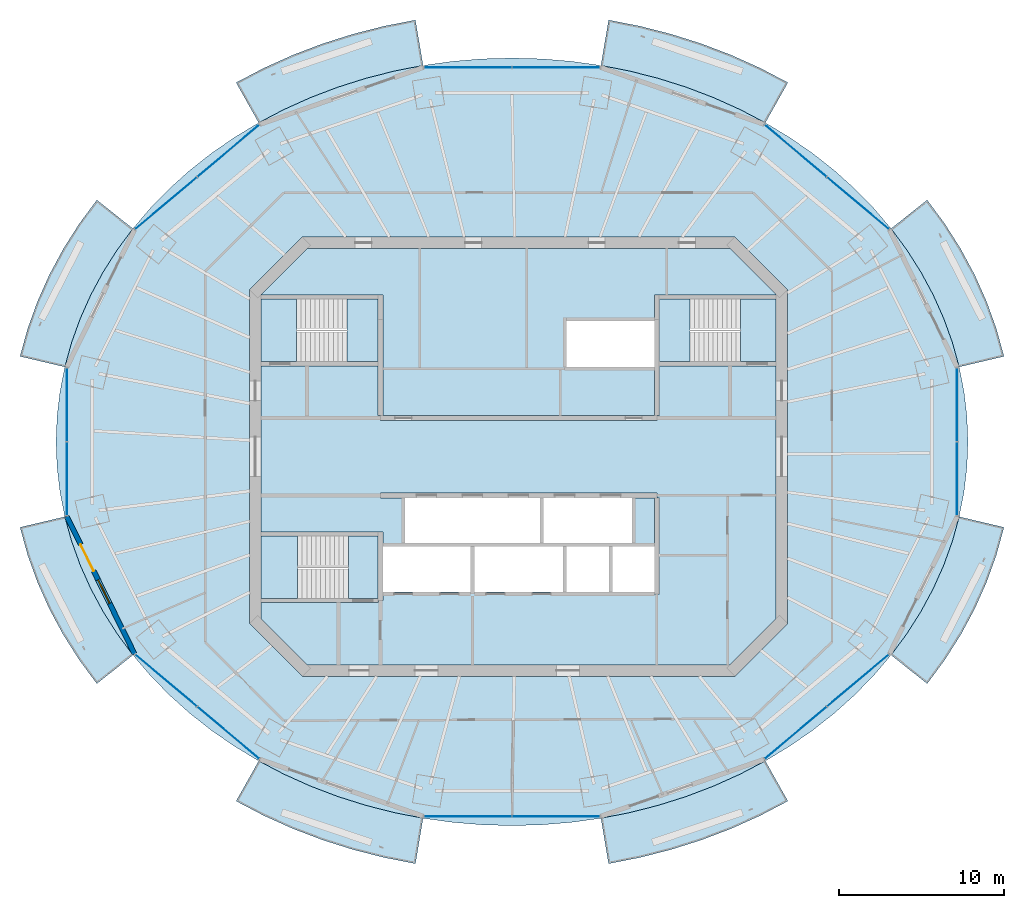
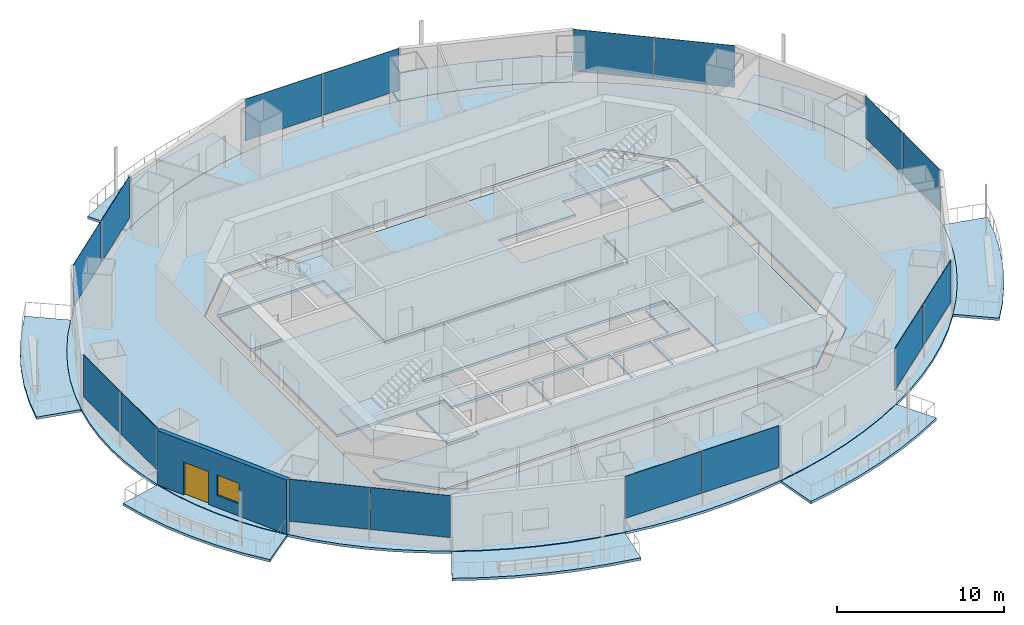
# One storey, part 7 of 16: 17 slabs, 16 plates, 1 door, 1 wall, 1 window, 2 openings, 11 elements without a shape of their own.
"""IFC4 building model written with IfcOpenShell, lengths in metres."""

from ifc_helpers import new_model, si_unit, direction, frame, frame_2d, origin, origin_2d, place, context, subcontext, project, spatial, polyline, rectangle, outline, extrude, material, layer, layer_set, type_object, element, fill, aggregate, save


model = new_model("IFC4")

# Units and contexts
model_context = context("Model", 3, precision=1e-05, world=origin(), true_north=direction((0.0, 1.0)))
body_context = subcontext(model_context, "Body", "Model", "MODEL_VIEW")
ifc_project = project(units=[si_unit("LENGTHUNIT", "METRE"), si_unit("AREAUNIT", "SQUARE_METRE"), si_unit("VOLUMEUNIT", "CUBIC_METRE"), si_unit("PLANEANGLEUNIT", "RADIAN"), si_unit("MASSUNIT", "GRAM", prefix="KILO")], contexts=[model_context])

# Site, building, storey
site_placement = place(None, origin())
site = spatial("IfcSite", under=ifc_project, at=site_placement, CompositionType="ELEMENT")
building_placement = place(site_placement, origin())
building = spatial("IfcBuilding", under=site, at=building_placement, Name="Marenthal Gate Tower", CompositionType="ELEMENT")
storey_placement = place(building_placement, frame((0.0, 0.0, 330.14990234375)))
storey = spatial("IfcBuildingStorey", under=building, at=storey_placement, Name="L74", CompositionType="ELEMENT", Elevation=330.14990234375)

# Slabs
ifc_material_1 = material(Name="Concrete 40 MPa", Category="concrete")
ifc_layer_1 = layer(ifc_material_1, 0.179931640625)
ifc_layer_set_1 = layer_set([ifc_layer_1], Name="Balcony deck 180")
slab_type_1 = type_object("IfcSlabType", Name="Balcony deck 180", PredefinedType="USERDEFINED", material=ifc_layer_set_1)
slab_1_placement = place(storey_placement, frame((0.0, 0.0, -0.219970703125)))
element("IfcSlab", 1, at=slab_1_placement, inside=storey, type_object=slab_type_1, Name="Balcony deck L74 bay 1", ObjectType="BALCONY", PredefinedType="USERDEFINED", context=body_context, shape_type="SweptSolid", body=[
    extrude(outline(polyline([(26.779541015625, 5.450927734375), (26.36767578125, 6.9375), (25.84130859375, 8.398193359375), (25.202392578125, 9.826904296875), (24.4541015625, 11.21728515625), (23.599365234375, 12.5634765625), (22.6416015625, 13.85986328125), (24.834716796875, 15.6005859375), (25.908447265625, 14.147216796875), (26.8701171875, 12.632568359375), (27.71484375, 11.063232421875), (28.43798828125, 9.4453125), (29.035888671875, 7.786865234375), (29.50439453125, 6.0947265625), (26.779541015625, 5.450927734375)])), origin(), (0.0, 0.0, 1.0), 0.18017578125),
])
slab_2_placement = place(storey_placement, frame((0.0, 0.0, -0.219970703125)))
element("IfcSlab", 2, at=slab_2_placement, inside=storey, type_object=slab_type_1, Name="Balcony deck L74 bay 3", ObjectType="BALCONY", PredefinedType="USERDEFINED", context=body_context, shape_type="SweptSolid", body=[
    extrude(outline(polyline([(14.99609375, 20.295654296875), (13.4560546875, 21.101806640625), (11.856689453125, 21.8212890625), (10.204833984375, 22.451416015625), (8.5078125, 22.989013671875), (6.7724609375, 23.43212890625), (5.00634765625, 23.77880859375), (5.46875, 26.540283203125), (7.388427734375, 26.16357421875), (9.277099609375, 25.68115234375), (11.126708984375, 25.09521484375), (12.93017578125, 24.407470703125), (14.679931640625, 23.6201171875), (16.36865234375, 22.736083984375), (14.99609375, 20.295654296875)])), origin(), (0.0, 0.0, 1.0), 0.18017578125),
])
slab_3_placement = place(storey_placement, frame((0.0, 0.0, -0.219970703125)))
element("IfcSlab", 3, at=slab_3_placement, inside=storey, type_object=slab_type_1, Name="Balcony deck L74 bay 5", ObjectType="BALCONY", PredefinedType="USERDEFINED", context=body_context, shape_type="SweptSolid", body=[
    extrude(outline(polyline([(-5.806396484375, 23.77880859375), (-7.572509765625, 23.43212890625), (-9.3076171875, 22.989013671875), (-11.0048828125, 22.451416015625), (-12.65673828125, 21.8212890625), (-14.256103515625, 21.101806640625), (-15.7958984375, 20.295654296875), (-17.168701171875, 22.736083984375), (-15.47998046875, 23.6201171875), (-13.730224609375, 24.407470703125), (-11.9267578125, 25.09521484375), (-10.076904296875, 25.68115234375), (-8.1884765625, 26.16357421875), (-6.268798828125, 26.540283203125), (-5.806396484375, 23.77880859375)])), origin(), (0.0, 0.0, 1.0), 0.18017578125),
])
slab_4_placement = place(storey_placement, frame((0.0, 0.0, -0.219970703125)))
element("IfcSlab", 4, at=slab_4_placement, inside=storey, type_object=slab_type_1, Name="Balcony deck L74 bay 7", ObjectType="BALCONY", PredefinedType="USERDEFINED", context=body_context, shape_type="SweptSolid", body=[
    extrude(outline(polyline([(-23.441650390625, 13.85986328125), (-24.3994140625, 12.5634765625), (-25.254150390625, 11.21728515625), (-26.00244140625, 9.826904296875), (-26.641357421875, 8.398193359375), (-27.167724609375, 6.9375), (-27.57958984375, 5.450927734375), (-30.304443359375, 6.0947265625), (-29.835693359375, 7.786865234375), (-29.238037109375, 9.4453125), (-28.514892578125, 11.063232421875), (-27.669921875, 12.632568359375), (-26.708251953125, 14.147216796875), (-25.634765625, 15.6005859375), (-23.441650390625, 13.85986328125)])), origin(), (0.0, 0.0, 1.0), 0.18017578125),
])
slab_5_placement = place(storey_placement, frame((0.0, 0.0, -0.219970703125)))
element("IfcSlab", 5, at=slab_5_placement, inside=storey, type_object=slab_type_1, Name="Balcony deck L74 bay 9", ObjectType="BALCONY", PredefinedType="USERDEFINED", context=body_context, shape_type="SweptSolid", body=[
    extrude(outline(polyline([(-27.57958984375, -3.65087890625), (-27.167724609375, -5.137451171875), (-26.641357421875, -6.59814453125), (-26.00244140625, -8.02685546875), (-25.254150390625, -9.417236328125), (-24.3994140625, -10.763427734375), (-23.441650390625, -12.059814453125), (-25.634765625, -13.800537109375), (-26.708251953125, -12.34716796875), (-27.669921875, -10.832763671875), (-28.514892578125, -9.26318359375), (-29.238037109375, -7.6455078125), (-29.835693359375, -5.98681640625), (-30.304443359375, -4.294921875), (-27.57958984375, -3.65087890625)])), origin(), (0.0, 0.0, 1.0), 0.18017578125),
])
slab_6_placement = place(storey_placement, frame((0.0, 0.0, -0.219970703125)))
element("IfcSlab", 6, at=slab_6_placement, inside=storey, type_object=slab_type_1, Name="Balcony deck L74 bay 11", ObjectType="BALCONY", PredefinedType="USERDEFINED", context=body_context, shape_type="SweptSolid", body=[
    extrude(outline(polyline([(-15.7958984375, -18.49560546875), (-14.256103515625, -19.3017578125), (-12.65673828125, -20.021484375), (-11.0048828125, -20.6513671875), (-9.3076171875, -21.18896484375), (-7.572509765625, -21.632080078125), (-5.806396484375, -21.978759765625), (-6.268798828125, -24.740478515625), (-8.1884765625, -24.363525390625), (-10.076904296875, -23.88134765625), (-11.9267578125, -23.295166015625), (-13.730224609375, -22.607421875), (-15.47998046875, -21.820068359375), (-17.168701171875, -20.936279296875), (-15.7958984375, -18.49560546875)])), origin(), (0.0, 0.0, 1.0), 0.18017578125),
])
slab_7_placement = place(storey_placement, frame((0.0, 0.0, -0.219970703125)))
element("IfcSlab", 7, at=slab_7_placement, inside=storey, type_object=slab_type_1, Name="Balcony deck L74 bay 13", ObjectType="BALCONY", PredefinedType="USERDEFINED", context=body_context, shape_type="SweptSolid", body=[
    extrude(outline(polyline([(5.00634765625, -21.978759765625), (6.7724609375, -21.632080078125), (8.5078125, -21.18896484375), (10.204833984375, -20.6513671875), (11.856689453125, -20.021484375), (13.4560546875, -19.3017578125), (14.99609375, -18.49560546875), (16.36865234375, -20.936279296875), (14.679931640625, -21.820068359375), (12.93017578125, -22.607421875), (11.126708984375, -23.295166015625), (9.277099609375, -23.88134765625), (7.388427734375, -24.363525390625), (5.46875, -24.740478515625), (5.00634765625, -21.978759765625)])), origin(), (0.0, 0.0, 1.0), 0.18017578125),
])
slab_8_placement = place(storey_placement, frame((0.0, 0.0, -0.219970703125)))
element("IfcSlab", 8, at=slab_8_placement, inside=storey, type_object=slab_type_1, Name="Balcony deck L74 bay 15", ObjectType="BALCONY", PredefinedType="USERDEFINED", context=body_context, shape_type="SweptSolid", body=[
    extrude(outline(polyline([(22.6416015625, -12.059814453125), (23.599365234375, -10.763427734375), (24.4541015625, -9.417236328125), (25.202392578125, -8.02685546875), (25.84130859375, -6.59814453125), (26.36767578125, -5.137451171875), (26.779541015625, -3.65087890625), (29.50439453125, -4.294921875), (29.035888671875, -5.98681640625), (28.43798828125, -7.6455078125), (27.71484375, -9.26318359375), (26.8701171875, -10.832763671875), (25.908447265625, -12.34716796875), (24.834716796875, -13.800537109375), (22.6416015625, -12.059814453125)])), origin(), (0.0, 0.0, 1.0), 0.18017578125),
])
ifc_material_2 = material(Name="Concrete 50 MPa", Category="concrete")
ifc_layer_2 = layer(ifc_material_2, 0.179931640625)
ifc_layer_set_2 = layer_set([ifc_layer_2], Name="Core floor slab 180")
slab_type_2 = type_object("IfcSlabType", Name="Core floor slab 180", PredefinedType="FLOOR", material=ifc_layer_set_2)
slab_9_placement = place(storey_placement, frame((0.0, 0.0, -0.179931640625)))
element("IfcSlab", 9, at=slab_9_placement, inside=storey, type_object=slab_type_2, Name="Core floor L74", PredefinedType="FLOOR", context=body_context, shape_type="SweptSolid", body=[
    extrude(outline(polyline([(12.85498046875, -12.64990234375), (-12.85498046875, -12.64990234375), (-15.64990234375, -9.85498046875), (-15.64990234375, -8.875), (-8.550048828125, -8.875), (-8.550048828125, -8.75), (-8.25, -8.75), (-8.25, -8.239990234375), (-5.60009765625, -8.239990234375), (-2.909912109375, -8.239990234375), (-2.909912109375, -5.4599609375), (-5.60009765625, -5.4599609375), (-8.25, -5.4599609375), (-8.25, -4.574951171875), (-8.550048828125, -4.574951171875), (-15.64990234375, -4.574951171875), (-15.64990234375, 5.52490234375), (-8.550048828125, 5.52490234375), (-8.550048828125, 2.5), (-8.39990234375, 2.5), (-8.39990234375, 2.199951171875), (8.39990234375, 2.199951171875), (8.39990234375, 2.5), (8.550048828125, 2.5), (8.550048828125, 5.52490234375), (15.64990234375, 5.52490234375), (15.64990234375, -9.85498046875), (12.85498046875, -12.64990234375)]), holes=[polyline([(0.0, -8.239990234375), (2.68994140625, -8.239990234375), (2.68994140625, -5.4599609375), (0.0, -5.4599609375), (-2.68994140625, -5.4599609375), (-2.68994140625, -8.239990234375), (0.0, -8.239990234375)]), polyline([(1.2900390625, -5.239990234375), (1.2900390625, -2.5), (1.510009765625, -2.5), (1.510009765625, -5.239990234375), (4.199951171875, -5.239990234375), (6.889892578125, -5.239990234375), (6.889892578125, -2.5), (8.25, -2.5), (8.25, -5.4599609375), (5.7099609375, -5.4599609375), (5.7099609375, -8.239990234375), (8.25, -8.239990234375), (8.25, -8.35009765625), (8.550048828125, -8.35009765625), (8.550048828125, -2.5), (8.39990234375, -2.5), (8.39990234375, -2.199951171875), (-8.39990234375, -2.199951171875), (-8.39990234375, -2.5), (-6.889892578125, -2.5), (-6.889892578125, -5.239990234375), (-4.199951171875, -5.239990234375), (-1.39990234375, -5.239990234375), (1.2900390625, -5.239990234375)]), polyline([(5.489990234375, -5.4599609375), (2.909912109375, -5.4599609375), (2.909912109375, -8.239990234375), (5.489990234375, -8.239990234375), (5.489990234375, -5.4599609375)])]), origin(), (0.0, 0.0, 1.0), 0.179931640625),
])
slab_10_placement = place(storey_placement, frame((0.0, 0.0, -0.179931640625)))
element("IfcSlab", 10, at=slab_10_placement, inside=storey, type_object=slab_type_2, Name="Core floor L74", PredefinedType="FLOOR", context=body_context, shape_type="SweptSolid", body=[
    extrude(outline(polyline([(15.64990234375, 5.77490234375), (13.5, 5.77490234375), (13.5, 9.574951171875), (15.64990234375, 9.574951171875), (15.64990234375, 5.77490234375)])), origin(), (0.0, 0.0, 1.0), 0.179931640625),
])
slab_11_placement = place(storey_placement, frame((0.0, 0.0, -0.179931640625)))
element("IfcSlab", 11, at=slab_11_placement, inside=storey, type_object=slab_type_2, Name="Core floor L74", PredefinedType="FLOOR", context=body_context, shape_type="SweptSolid", body=[
    extrude(outline(polyline([(15.64990234375, 9.824951171875), (8.550048828125, 9.824951171875), (8.25, 9.824951171875), (8.25, 8.35009765625), (8.25, 8.239990234375), (5.60009765625, 8.239990234375), (2.909912109375, 8.239990234375), (2.909912109375, 5.4599609375), (5.60009765625, 5.4599609375), (8.25, 5.4599609375), (8.25, 2.5), (-8.25, 2.5), (-8.25, 8.35009765625), (-8.25, 9.824951171875), (-8.550048828125, 9.824951171875), (-15.64990234375, 9.824951171875), (-15.64990234375, 9.85498046875), (-12.85498046875, 12.64990234375), (12.85498046875, 12.64990234375), (15.64990234375, 9.85498046875), (15.64990234375, 9.824951171875)])), origin(), (0.0, 0.0, 1.0), 0.179931640625),
])
slab_12_placement = place(storey_placement, frame((0.0, 0.0, -0.179931640625)))
element("IfcSlab", 12, at=slab_12_placement, inside=storey, type_object=slab_type_2, Name="Core floor L74", PredefinedType="FLOOR", context=body_context, shape_type="SweptSolid", body=[
    extrude(outline(polyline([(-15.64990234375, 9.574951171875), (-13.5, 9.574951171875), (-13.5, 5.77490234375), (-15.64990234375, 5.77490234375), (-15.64990234375, 9.574951171875)])), origin(), (0.0, 0.0, 1.0), 0.179931640625),
])
slab_13_placement = place(storey_placement, frame((0.0, 0.0, -0.179931640625)))
element("IfcSlab", 13, at=slab_13_placement, inside=storey, type_object=slab_type_2, Name="Core floor L74", PredefinedType="FLOOR", context=body_context, shape_type="SweptSolid", body=[
    extrude(outline(polyline([(-8.550048828125, -4.824951171875), (-8.550048828125, -8.625), (-10.35009765625, -8.625), (-10.35009765625, -4.824951171875), (-8.550048828125, -4.824951171875)])), origin(), (0.0, 0.0, 1.0), 0.179931640625),
])
ifc_material_3 = material(Name="Concrete 35 MPa", Category="concrete")
ifc_layer_3 = layer(ifc_material_3, 0.179931640625)
ifc_layer_set_3 = layer_set([ifc_layer_3], Name="Floor slab 180")
slab_type_3 = type_object("IfcSlabType", Name="Floor slab 180", PredefinedType="FLOOR", material=ifc_layer_set_3)
slab_14_placement = place(storey_placement, frame((0.0, 0.0, -0.179931640625)))
element("IfcSlab", 14, at=slab_14_placement, inside=storey, type_object=slab_type_3, Name="SL-L74-01", PredefinedType="FLOOR", context=body_context, shape_type="SweptSolid", body=[
    extrude(outline(polyline([(27.31201171875, 0.89990234375), (27.252685546875, 2.42578125), (27.074951171875, 3.94482421875), (26.779541015625, 5.450927734375), (26.36767578125, 6.9375), (25.84130859375, 8.398193359375), (25.202392578125, 9.826904296875), (24.4541015625, 11.21728515625), (23.599365234375, 12.5634765625), (22.6416015625, 13.85986328125), (21.58544921875, 15.1005859375), (20.43505859375, 16.280517578125), (19.1953125, 17.394775390625), (17.871826171875, 18.438232421875), (16.469970703125, 19.406494140625), (14.99609375, 20.295654296875), (13.4560546875, 21.101806640625), (11.856689453125, 21.8212890625), (10.204833984375, 22.451416015625), (8.5078125, 22.989013671875), (6.7724609375, 23.43212890625), (5.00634765625, 23.77880859375), (3.217041015625, 24.02734375), (1.41259765625, 24.177001953125), (-0.39990234375, 24.22705078125), (-2.21240234375, 24.177001953125), (-4.01708984375, 24.02734375), (-5.806396484375, 23.77880859375), (-7.572509765625, 23.43212890625), (-9.3076171875, 22.989013671875), (-11.0048828125, 22.451416015625), (-12.65673828125, 21.8212890625), (-14.256103515625, 21.101806640625), (-15.7958984375, 20.295654296875), (-17.27001953125, 19.406494140625), (-18.671875, 18.438232421875), (-19.995361328125, 17.394775390625), (-21.235107421875, 16.280517578125), (-22.385498046875, 15.1005859375), (-23.441650390625, 13.85986328125), (-24.3994140625, 12.5634765625), (-25.254150390625, 11.21728515625), (-26.00244140625, 9.826904296875), (-26.641357421875, 8.398193359375), (-27.167724609375, 6.9375), (-27.57958984375, 5.450927734375), (-27.875, 3.94482421875), (-28.052734375, 2.42578125), (-28.112060546875, 0.89990234375), (-28.052734375, -0.625732421875), (-27.875, -2.144775390625), (-27.57958984375, -3.65087890625), (-27.167724609375, -5.137451171875), (-26.641357421875, -6.59814453125), (-26.00244140625, -8.02685546875), (-25.254150390625, -9.417236328125), (-24.3994140625, -10.763427734375), (-23.441650390625, -12.059814453125), (-22.385498046875, -13.300537109375), (-21.235107421875, -14.480712890625), (-19.995361328125, -15.5947265625), (-18.671875, -16.63818359375), (-17.27001953125, -17.606689453125), (-15.7958984375, -18.49560546875), (-14.256103515625, -19.3017578125), (-12.65673828125, -20.021484375), (-11.0048828125, -20.6513671875), (-9.3076171875, -21.18896484375), (-7.572509765625, -21.632080078125), (-5.806396484375, -21.978759765625), (-4.01708984375, -22.227294921875), (-2.21240234375, -22.377197265625), (-0.39990234375, -22.427001953125), (1.41259765625, -22.377197265625), (3.217041015625, -22.227294921875), (5.00634765625, -21.978759765625), (6.7724609375, -21.632080078125), (8.5078125, -21.18896484375), (10.204833984375, -20.6513671875), (11.856689453125, -20.021484375), (13.4560546875, -19.3017578125), (14.99609375, -18.49560546875), (16.469970703125, -17.606689453125), (17.871826171875, -16.63818359375), (19.1953125, -15.5947265625), (20.43505859375, -14.480712890625), (21.58544921875, -13.300537109375), (22.6416015625, -12.059814453125), (23.599365234375, -10.763427734375), (24.4541015625, -9.417236328125), (25.202392578125, -8.02685546875), (25.84130859375, -6.59814453125), (26.36767578125, -5.137451171875), (26.779541015625, -3.65087890625), (27.074951171875, -2.144775390625), (27.252685546875, -0.625732421875), (27.31201171875, 0.89990234375)]), holes=[polyline([(13.14501953125, -13.35009765625), (16.35009765625, -10.14501953125), (16.35009765625, 10.14501953125), (13.14501953125, 13.35009765625), (-13.14501953125, 13.35009765625), (-16.35009765625, 10.14501953125), (-16.35009765625, -10.14501953125), (-13.14501953125, -13.35009765625), (13.14501953125, -13.35009765625)])]), origin(), (0.0, 0.0, 1.0), 0.179931640625),
])

# Curtain wall, plates
ifc_material_4 = material(Name="Aluminium and glass", Category="aluminium")
curtain_wall_type = type_object("IfcCurtainWallType", Name="Curtain wall typical high", PredefinedType="NOTDEFINED", material=ifc_material_4)
curtain_wall_1_placement = place(storey_placement, origin())
curtain_wall_1 = element("IfcCurtainWall", 15, at=curtain_wall_1_placement, inside=storey, type_object=curtain_wall_type, Name="Curtain wall L74 bay 2", PredefinedType="NOTDEFINED")
ifc_material_5 = material(Name="Glass, laminated insulating unit", Category="glass")
ifc_layer_4 = layer(ifc_material_5, 0.031982421875)
ifc_layer_set_4 = layer_set([ifc_layer_4], Name="Glass panel 32 typical high")
plate_type = type_object("IfcPlateType", Name="Glass panel 32 typical high", PredefinedType="CURTAIN_PANEL", material=ifc_layer_set_4)
plate_1_placement = place(storey_placement, frame((20.627197265625, 15.403564453125, 0.89990234375), z_axis=(0.0, 0.0, 1.0), x_axis=(-0.76529793122, 0.643676220215, 0.0)))
plate_1 = element("IfcPlate", 16, at=plate_1_placement, type_object=plate_type, Name="Glass panel L74 bay 2.1", PredefinedType="CURTAIN_PANEL", context=body_context, shape_type="SweptSolid", body=[
    extrude(rectangle(XDim=4.883544921875, YDim=0.031982421875, at=origin_2d()), origin(), (0.0, 0.0, 1.0), 3.070068359375),
])
plate_2_placement = place(storey_placement, frame((16.843994140625, 18.58544921875, 0.89990234375), z_axis=(0.0, 0.0, 1.0), x_axis=(-0.76529793122, 0.643676220215, 0.0)))
plate_2 = element("IfcPlate", 17, at=plate_2_placement, type_object=plate_type, Name="Glass panel L74 bay 2.2", PredefinedType="CURTAIN_PANEL", context=body_context, shape_type="SweptSolid", body=[
    extrude(rectangle(XDim=4.883544921875, YDim=0.031982421875, at=origin_2d()), origin(), (0.0, 0.0, 1.0), 3.070068359375),
])
aggregate(curtain_wall_1, [plate_1, plate_2])

curtain_wall_2_placement = place(storey_placement, origin())
curtain_wall_2 = element("IfcCurtainWall", 18, at=curtain_wall_2_placement, inside=storey, type_object=curtain_wall_type, Name="Curtain wall L74 bay 4", PredefinedType="NOTDEFINED")
plate_3_placement = place(storey_placement, frame((2.2763671875, 23.6611328125, 0.89990234375), z_axis=(0.0, 0.0, 1.0), x_axis=(-1.0, 0.0, 0.0)))
plate_3 = element("IfcPlate", 19, at=plate_3_placement, type_object=plate_type, Name="Glass panel L74 bay 4.1", PredefinedType="CURTAIN_PANEL", context=body_context, shape_type="SweptSolid", body=[
    extrude(rectangle(XDim=5.29296875, YDim=0.031982421875, at=origin_2d()), origin(), (0.0, 0.0, 1.0), 3.070068359375),
])
plate_4_placement = place(storey_placement, frame((-3.076416015625, 23.6611328125, 0.89990234375), z_axis=(0.0, 0.0, 1.0), x_axis=(-1.0, 0.0, 0.0)))
plate_4 = element("IfcPlate", 20, at=plate_4_placement, type_object=plate_type, Name="Glass panel L74 bay 4.2", PredefinedType="CURTAIN_PANEL", context=body_context, shape_type="SweptSolid", body=[
    extrude(rectangle(XDim=5.29296875, YDim=0.031982421875, at=origin_2d()), origin(), (0.0, 0.0, 1.0), 3.070068359375),
])
aggregate(curtain_wall_2, [plate_3, plate_4])

curtain_wall_3_placement = place(storey_placement, origin())
curtain_wall_3 = element("IfcCurtainWall", 21, at=curtain_wall_3_placement, inside=storey, type_object=curtain_wall_type, Name="Curtain wall L74 bay 6", PredefinedType="NOTDEFINED")
plate_5_placement = place(storey_placement, frame((-17.64404296875, 18.58544921875, 0.89990234375), z_axis=(0.0, 0.0, 1.0), x_axis=(-0.76529793122, -0.643676220215, 0.0)))
plate_5 = element("IfcPlate", 22, at=plate_5_placement, type_object=plate_type, Name="Glass panel L74 bay 6.1", PredefinedType="CURTAIN_PANEL", context=body_context, shape_type="SweptSolid", body=[
    extrude(rectangle(XDim=4.883544921875, YDim=0.031982421875, at=origin_2d()), origin(), (0.0, 0.0, 1.0), 3.070068359375),
])
plate_6_placement = place(storey_placement, frame((-21.42724609375, 15.403564453125, 0.89990234375), z_axis=(0.0, 0.0, 1.0), x_axis=(-0.76529793122, -0.643676220215, 0.0)))
plate_6 = element("IfcPlate", 23, at=plate_6_placement, type_object=plate_type, Name="Glass panel L74 bay 6.2", PredefinedType="CURTAIN_PANEL", context=body_context, shape_type="SweptSolid", body=[
    extrude(rectangle(XDim=4.883544921875, YDim=0.031982421875, at=origin_2d()), origin(), (0.0, 0.0, 1.0), 3.070068359375),
])
aggregate(curtain_wall_3, [plate_5, plate_6])

curtain_wall_4_placement = place(storey_placement, origin())
curtain_wall_4 = element("IfcCurtainWall", 24, at=curtain_wall_4_placement, inside=storey, type_object=curtain_wall_type, Name="Curtain wall L74 bay 8", PredefinedType="NOTDEFINED")
plate_7_placement = place(storey_placement, frame((-27.4619140625, 3.148681640625, 0.89990234375), z_axis=(0.0, 0.0, 1.0), x_axis=(0.0, -1.0, 0.0)))
plate_7 = element("IfcPlate", 25, at=plate_7_placement, type_object=plate_type, Name="Glass panel L74 bay 8.1", PredefinedType="CURTAIN_PANEL", context=body_context, shape_type="SweptSolid", body=[
    extrude(rectangle(XDim=4.4375, YDim=0.031982421875, at=origin_2d()), origin(), (0.0, 0.0, 1.0), 3.070068359375),
])
plate_8_placement = place(storey_placement, frame((-27.4619140625, -1.3486328125, 0.89990234375), z_axis=(0.0, 0.0, 1.0), x_axis=(0.0, -1.0, 0.0)))
plate_8 = element("IfcPlate", 26, at=plate_8_placement, type_object=plate_type, Name="Glass panel L74 bay 8.2", PredefinedType="CURTAIN_PANEL", context=body_context, shape_type="SweptSolid", body=[
    extrude(rectangle(XDim=4.4375, YDim=0.031982421875, at=origin_2d()), origin(), (0.0, 0.0, 1.0), 3.070068359375),
])
aggregate(curtain_wall_4, [plate_7, plate_8])

curtain_wall_5_placement = place(storey_placement, origin())
curtain_wall_5 = element("IfcCurtainWall", 27, at=curtain_wall_5_placement, inside=storey, type_object=curtain_wall_type, Name="Curtain wall L74 bay 10", PredefinedType="NOTDEFINED")
plate_9_placement = place(storey_placement, frame((-21.42724609375, -13.603515625, 0.89990234375), z_axis=(0.0, 0.0, 1.0), x_axis=(0.76529793122, -0.643676220215, 0.0)))
plate_9 = element("IfcPlate", 28, at=plate_9_placement, type_object=plate_type, Name="Glass panel L74 bay 10.1", PredefinedType="CURTAIN_PANEL", context=body_context, shape_type="SweptSolid", body=[
    extrude(rectangle(XDim=4.883544921875, YDim=0.031982421875, at=origin_2d()), origin(), (0.0, 0.0, 1.0), 3.070068359375),
])
plate_10_placement = place(storey_placement, frame((-17.64404296875, -16.78564453125, 0.89990234375), z_axis=(0.0, 0.0, 1.0), x_axis=(0.76529793122, -0.643676220215, 0.0)))
plate_10 = element("IfcPlate", 29, at=plate_10_placement, type_object=plate_type, Name="Glass panel L74 bay 10.2", PredefinedType="CURTAIN_PANEL", context=body_context, shape_type="SweptSolid", body=[
    extrude(rectangle(XDim=4.883544921875, YDim=0.031982421875, at=origin_2d()), origin(), (0.0, 0.0, 1.0), 3.070068359375),
])
aggregate(curtain_wall_5, [plate_9, plate_10])

curtain_wall_6_placement = place(storey_placement, origin())
curtain_wall_6 = element("IfcCurtainWall", 30, at=curtain_wall_6_placement, inside=storey, type_object=curtain_wall_type, Name="Curtain wall L74 bay 12", PredefinedType="NOTDEFINED")
plate_11_placement = place(storey_placement, frame((-3.076416015625, -21.861083984375, 0.89990234375), z_axis=(0.0, 0.0, 1.0), x_axis=(1.0, 0.0, 0.0)))
plate_11 = element("IfcPlate", 31, at=plate_11_placement, type_object=plate_type, Name="Glass panel L74 bay 12.1", PredefinedType="CURTAIN_PANEL", context=body_context, shape_type="SweptSolid", body=[
    extrude(rectangle(XDim=5.29296875, YDim=0.031982421875, at=origin_2d()), origin(), (0.0, 0.0, 1.0), 3.070068359375),
])
plate_12_placement = place(storey_placement, frame((2.2763671875, -21.861083984375, 0.89990234375), z_axis=(0.0, 0.0, 1.0), x_axis=(1.0, 0.0, 0.0)))
plate_12 = element("IfcPlate", 32, at=plate_12_placement, type_object=plate_type, Name="Glass panel L74 bay 12.2", PredefinedType="CURTAIN_PANEL", context=body_context, shape_type="SweptSolid", body=[
    extrude(rectangle(XDim=5.29296875, YDim=0.031982421875, at=origin_2d()), origin(), (0.0, 0.0, 1.0), 3.070068359375),
])
aggregate(curtain_wall_6, [plate_11, plate_12])

curtain_wall_7_placement = place(storey_placement, origin())
curtain_wall_7 = element("IfcCurtainWall", 33, at=curtain_wall_7_placement, inside=storey, type_object=curtain_wall_type, Name="Curtain wall L74 bay 14", PredefinedType="NOTDEFINED")
plate_13_placement = place(storey_placement, frame((16.843994140625, -16.78564453125, 0.89990234375), z_axis=(0.0, 0.0, 1.0), x_axis=(0.76529793122, 0.643676220215, 0.0)))
plate_13 = element("IfcPlate", 34, at=plate_13_placement, type_object=plate_type, Name="Glass panel L74 bay 14.1", PredefinedType="CURTAIN_PANEL", context=body_context, shape_type="SweptSolid", body=[
    extrude(rectangle(XDim=4.883544921875, YDim=0.031982421875, at=origin_2d()), origin(), (0.0, 0.0, 1.0), 3.070068359375),
])
plate_14_placement = place(storey_placement, frame((20.627197265625, -13.603515625, 0.89990234375), z_axis=(0.0, 0.0, 1.0), x_axis=(0.76529793122, 0.643676220215, 0.0)))
plate_14 = element("IfcPlate", 35, at=plate_14_placement, type_object=plate_type, Name="Glass panel L74 bay 14.2", PredefinedType="CURTAIN_PANEL", context=body_context, shape_type="SweptSolid", body=[
    extrude(rectangle(XDim=4.883544921875, YDim=0.031982421875, at=origin_2d()), origin(), (0.0, 0.0, 1.0), 3.070068359375),
])
aggregate(curtain_wall_7, [plate_13, plate_14])

curtain_wall_8_placement = place(storey_placement, origin())
curtain_wall_8 = element("IfcCurtainWall", 36, at=curtain_wall_8_placement, inside=storey, type_object=curtain_wall_type, Name="Curtain wall L74 bay 16", PredefinedType="NOTDEFINED")
plate_15_placement = place(storey_placement, frame((26.661865234375, -1.3486328125, 0.89990234375), z_axis=(0.0, 0.0, 1.0), x_axis=(0.0, 1.0, 0.0)))
plate_15 = element("IfcPlate", 37, at=plate_15_placement, type_object=plate_type, Name="Glass panel L74 bay 16.1", PredefinedType="CURTAIN_PANEL", context=body_context, shape_type="SweptSolid", body=[
    extrude(rectangle(XDim=4.4375, YDim=0.031982421875, at=origin_2d()), origin(), (0.0, 0.0, 1.0), 3.070068359375),
])
plate_16_placement = place(storey_placement, frame((26.661865234375, 3.148681640625, 0.89990234375), z_axis=(0.0, 0.0, 1.0), x_axis=(0.0, 1.0, 0.0)))
plate_16 = element("IfcPlate", 38, at=plate_16_placement, type_object=plate_type, Name="Glass panel L74 bay 16.2", PredefinedType="CURTAIN_PANEL", context=body_context, shape_type="SweptSolid", body=[
    extrude(rectangle(XDim=4.4375, YDim=0.031982421875, at=origin_2d()), origin(), (0.0, 0.0, 1.0), 3.070068359375),
])
aggregate(curtain_wall_8, [plate_15, plate_16])

# Stair, slab
ifc_material_6 = material(Name="Concrete 40 MPa", Category="concrete")
stair_type = type_object("IfcStairType", Name="Exit stair 1800", PredefinedType="HALF_TURN_STAIR", material=ifc_material_6)
stair_1_placement = place(storey_placement, origin())
stair_1 = element("IfcStair", 39, at=stair_1_placement, inside=storey, type_object=stair_type, Name="Stair ST1", PredefinedType="HALF_TURN_STAIR")
ifc_material_7 = material(Name="Concrete 40 MPa", Category="concrete")
ifc_layer_5 = layer(ifc_material_7, 0.199951171875)
ifc_layer_set_5 = layer_set([ifc_layer_5], Name="Stair landing 200")
slab_type_4 = type_object("IfcSlabType", Name="Stair landing 200", PredefinedType="LANDING", material=ifc_layer_set_5)
slab_15_placement = place(storey_placement, frame((0.0, 0.0, 1.875)))
slab_15 = element("IfcSlab", 40, at=slab_15_placement, type_object=slab_type_4, Name="ST1 landing 1", PredefinedType="LANDING", context=body_context, shape_type="SweptSolid", body=[
    extrude(outline(polyline([(-10.419921875, 5.77490234375), (-8.550048828125, 5.77490234375), (-8.550048828125, 9.574951171875), (-10.419921875, 9.574951171875), (-10.419921875, 5.77490234375)])), origin(), (0.0, 0.0, 1.0), 0.2001953125),
])
aggregate(stair_1, [slab_15])

stair_2_placement = place(storey_placement, origin())
stair_2 = element("IfcStair", 41, at=stair_2_placement, inside=storey, type_object=stair_type, Name="Stair ST2", PredefinedType="HALF_TURN_STAIR")
slab_16_placement = place(storey_placement, frame((0.0, 0.0, 1.875)))
slab_16 = element("IfcSlab", 42, at=slab_16_placement, type_object=slab_type_4, Name="ST2 landing 1", PredefinedType="LANDING", context=body_context, shape_type="SweptSolid", body=[
    extrude(outline(polyline([(-15.64990234375, -8.625), (-13.429931640625, -8.625), (-13.429931640625, -4.824951171875), (-15.64990234375, -4.824951171875), (-15.64990234375, -8.625)])), origin(), (0.0, 0.0, 1.0), 0.2001953125),
])
aggregate(stair_2, [slab_16])

stair_3_placement = place(storey_placement, origin())
stair_3 = element("IfcStair", 43, at=stair_3_placement, inside=storey, type_object=stair_type, Name="Stair ST3", PredefinedType="HALF_TURN_STAIR")
slab_17_placement = place(storey_placement, frame((0.0, 0.0, 1.875)))
slab_17 = element("IfcSlab", 44, at=slab_17_placement, type_object=slab_type_4, Name="ST3 landing 1", PredefinedType="LANDING", context=body_context, shape_type="SweptSolid", body=[
    extrude(outline(polyline([(8.550048828125, 5.77490234375), (10.419921875, 5.77490234375), (10.419921875, 9.574951171875), (8.550048828125, 9.574951171875), (8.550048828125, 5.77490234375)])), origin(), (0.0, 0.0, 1.0), 0.2001953125),
])
aggregate(stair_3, [slab_17])

# Wall, openings, door, window
ifc_material_8 = material(Name="Terracotta cladding on insulated concrete-block backing", Category="masonry")
ifc_layer_6 = layer(ifc_material_8, 0.300048828125)
ifc_layer_set_6 = layer_set([ifc_layer_6], Name="Terracotta facade wall 300")
wall_type = type_object("IfcWallType", Name="Terracotta facade wall 300", PredefinedType="SOLIDWALL", material=ifc_layer_set_6)
wall_placement = place(storey_placement, frame((-27.4619140625, -3.62744140625, 0.0), z_axis=(0.0, 0.0, 1.0), x_axis=(0.441822778199, -0.897102353505, 0.0)))
wall = element("IfcWall", 45, at=wall_placement, inside=storey, type_object=wall_type, Name="Terracotta facade wall L74 bay 9", PredefinedType="SOLIDWALL", context=body_context, shape_type="SweptSolid", body=[
    extrude(rectangle(XDim=9.3251953125, YDim=0.300048828125, at=frame_2d((4.66259765625, 0.0))), origin(), (0.0, 0.0, 1.0), 3.97021484375),
])
opening_1_placement = place(wall_placement, frame((1.89990234375, 0.0, 0.0)))
opening_1 = element("IfcOpeningElement", 46, at=opening_1_placement, cuts=wall, Name="Opening BD-L74-09", PredefinedType="OPENING", context=body_context, shape_type="SweptSolid", body=[
    extrude(rectangle(XDim=1.800048828125, YDim=2.39990234375, at=frame_2d((0.89990234375, 1.199951171875))), frame((0.0, 0.16015625, 0.0), z_axis=(0.0, -1.0, 0.0), x_axis=(1.0, 0.0, 0.0)), (0.0, 0.0, 1.0), 0.320068359375),
])
opening_2_placement = place(wall_placement, frame((4.300048828125, 0.0, 0.89990234375)))
opening_2 = element("IfcOpeningElement", 47, at=opening_2_placement, cuts=wall, Name="Opening WN3-L74-09", PredefinedType="OPENING", context=body_context, shape_type="SweptSolid", body=[
    extrude(rectangle(XDim=1.60009765625, YDim=1.5, at=frame_2d((0.800048828125, 0.75))), frame((0.0, 0.16015625, 0.0), z_axis=(0.0, -1.0, 0.0), x_axis=(1.0, 0.0, 0.0)), (0.0, 0.0, 1.0), 0.320068359375),
])
ifc_material_9 = material(Name="Aluminium and glass", Category="aluminium")
door_type = type_object("IfcDoorType", Name="Balcony door 1800x2400", OperationType="DOUBLE_DOOR_SINGLE_SWING", PredefinedType="DOOR", material=ifc_material_9)
door_placement = place(opening_1_placement, origin())
door = element("IfcDoor", 48, at=door_placement, inside=storey, type_object=door_type, Name="Balcony door L74 bay 9", OperationType="SINGLE_SWING_LEFT", OverallHeight=2.39990234375, OverallWidth=1.800048828125, PredefinedType="DOOR", context=body_context, shape_type="SweptSolid", body=[
    extrude(rectangle(XDim=1.800048828125, YDim=2.39990234375, at=frame_2d((0.89990234375, 1.199951171875))), frame((0.0, 0.02490234375, 0.0), z_axis=(0.0, -1.0, 0.0), x_axis=(1.0, 0.0, 0.0)), (0.0, 0.0, 1.0), 0.050048828125),
])
fill(opening_1, door)
ifc_material_10 = material(Name="Aluminium and glass", Category="aluminium")
window_type = type_object("IfcWindowType", Name="Window 1600x1500", PartitioningType="DOUBLE_PANEL_VERTICAL", PredefinedType="WINDOW", material=ifc_material_10)
window_placement = place(opening_2_placement, origin())
window = element("IfcWindow", 49, at=window_placement, inside=storey, type_object=window_type, Name="Window L74 bay 9", OverallHeight=1.5, OverallWidth=1.60009765625, PartitioningType="SINGLE_PANEL", PredefinedType="WINDOW", context=body_context, shape_type="SweptSolid", body=[
    extrude(rectangle(XDim=1.60009765625, YDim=1.5, at=frame_2d((0.800048828125, 0.75))), frame((0.0, 0.030029296875, 0.0), z_axis=(0.0, -1.0, 0.0), x_axis=(1.0, 0.0, 0.0)), (0.0, 0.0, 1.0), 0.06005859375),
])
fill(opening_2, window)

save(model, "model.ifc")
